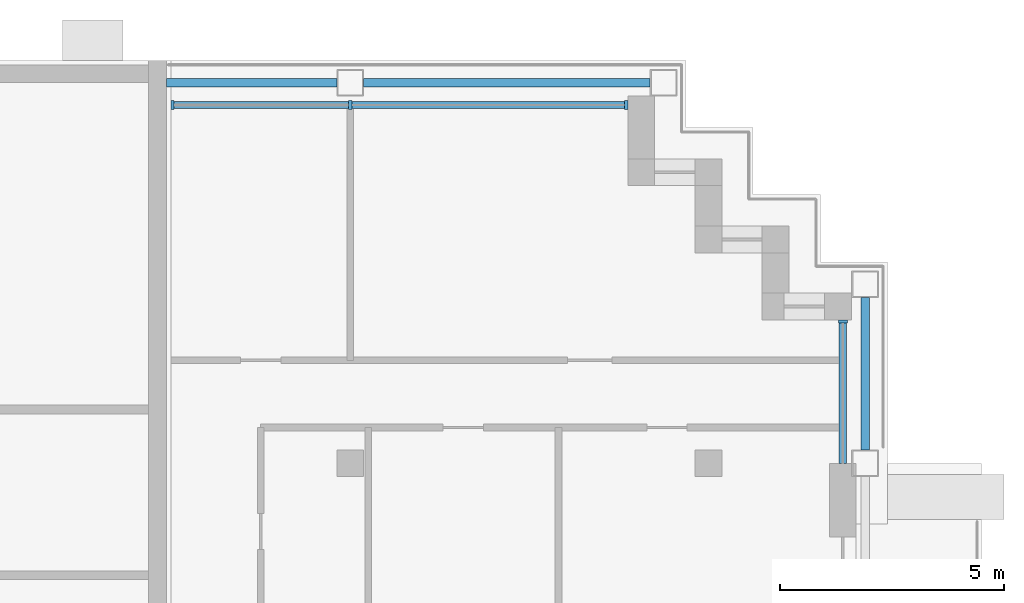
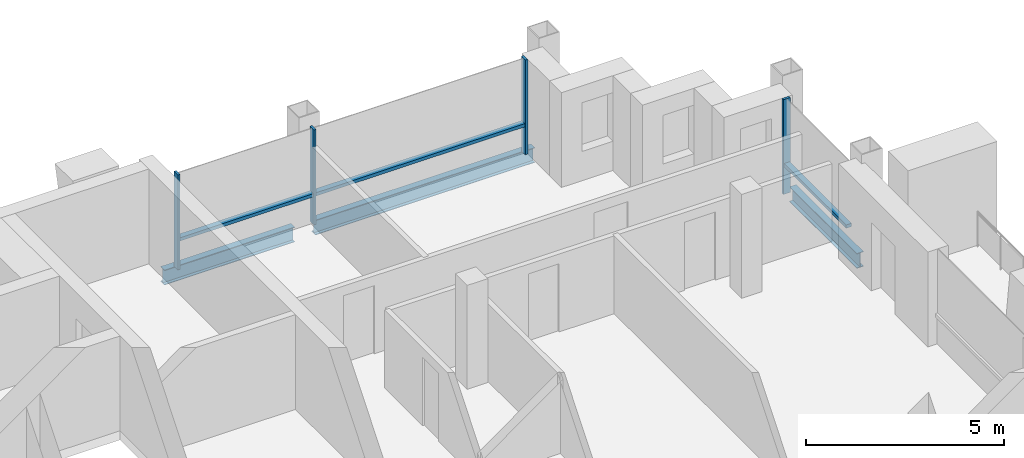
# One storey, part 5 of 16: 7 members, 3 beams, 2 elements without a shape of their own.
"""IFC4 building model written with IfcOpenShell, lengths in metres."""

from ifc_helpers import new_model, si_unit, direction, frame, origin, origin_2d, place, context, subcontext, project, spatial, rectangle, i_section, extrude, material, material_profile, profile_set, type_object, element, aggregate, save


model = new_model("IFC4")

# Units and contexts
model_context = context("Model", 3, precision=1e-05, world=origin(), true_north=direction((0.0, 1.0)))
body_context = subcontext(model_context, "Body", "Model", "MODEL_VIEW")
ifc_project = project(units=[si_unit("LENGTHUNIT", "METRE"), si_unit("AREAUNIT", "SQUARE_METRE"), si_unit("VOLUMEUNIT", "CUBIC_METRE"), si_unit("PLANEANGLEUNIT", "RADIAN"), si_unit("MASSUNIT", "GRAM", prefix="KILO")], contexts=[model_context])

# Site, building, storey
site_placement = place(None, origin())
site = spatial("IfcSite", under=ifc_project, at=site_placement, CompositionType="ELEMENT")
building_placement = place(site_placement, origin())
building = spatial("IfcBuilding", under=site, at=building_placement, Name="Vidyagriha Tower", CompositionType="ELEMENT")
storey_placement = place(building_placement, frame((0.0, 0.0, 217.199951171875)))
storey = spatial("IfcBuildingStorey", under=building, at=storey_placement, Name="L56", CompositionType="ELEMENT", Elevation=217.199951171875)

# Beams
ifc_material_1 = material(Name="Steel ASTM A992 Grade 50", Category="steel")
ifc_material_profile_1 = material_profile(ifc_material_1, i_section(OverallWidth=0.19189453125, OverallDepth=0.46240234375, WebThickness=0.010498046875, FlangeThickness=0.017578125, at=origin_2d()), Name="W18X60")
ifc_profile_set_1 = profile_set([ifc_material_profile_1], Name="Steel ASTM A992 Grade 50")
beam_type = type_object("IfcBeamType", Name="Edge beam W18X60", PredefinedType="SPANDREL", material=ifc_profile_set_1)
beam_1_placement = place(storey_placement, frame((29.5, 11.300048828125, -0.510986328125), z_axis=(0.0, 1.0, 0.0), x_axis=(-1.0, 0.0, 0.0)))
element("IfcBeam", 1, at=beam_1_placement, inside=storey, type_object=beam_type, Name="st-beam-L56-E17", PredefinedType="SPANDREL", context=body_context, shape_type="SweptSolid", body=[
    extrude(i_section(OverallWidth=0.19189453125, OverallDepth=0.46240234375, WebThickness=0.010498046875, FlangeThickness=0.017578125, at=origin_2d()), origin(), (0.0, 0.0, 1.0), 3.39990234375),
])
beam_2_placement = place(storey_placement, frame((18.300048828125, 19.5, -0.510986328125), z_axis=(1.0, 0.0, 0.0), x_axis=(0.0, 1.0, 0.0)))
element("IfcBeam", 2, at=beam_2_placement, inside=storey, type_object=beam_type, Name="st-beam-L56-NE19", PredefinedType="SPANDREL", context=body_context, shape_type="SweptSolid", body=[
    extrude(i_section(OverallWidth=0.19189453125, OverallDepth=0.46240234375, WebThickness=0.010498046875, FlangeThickness=0.017578125, at=origin_2d()), origin(), (0.0, 0.0, 1.0), 6.39990234375),
])
beam_3_placement = place(storey_placement, frame((13.89990234375, 19.5, -0.510986328125), z_axis=(1.0, 0.0, 0.0), x_axis=(0.0, 1.0, 0.0)))
element("IfcBeam", 3, at=beam_3_placement, inside=storey, type_object=beam_type, Name="st-beam-L56-NC21", PredefinedType="SPANDREL", context=body_context, shape_type="SweptSolid", body=[
    extrude(i_section(OverallWidth=0.19189453125, OverallDepth=0.46240234375, WebThickness=0.010498046875, FlangeThickness=0.017578125, at=origin_2d()), origin(), (0.0, 0.0, 1.0), 3.800048828125),
])

# Curtain wall, members
ifc_material_2 = material(Name="Aluminium and glass curtain wall", Category="aluminium")
curtain_wall_type = type_object("IfcCurtainWallType", Name="Dwelling skin unitised curtain wall", PredefinedType="USERDEFINED", material=ifc_material_2)
curtain_wall_1_placement = place(storey_placement, origin())
curtain_wall_1 = element("IfcCurtainWall", 4, at=curtain_wall_1_placement, inside=storey, type_object=curtain_wall_type, Name="CW1 dwelling skin", ObjectType="UNITISED", PredefinedType="USERDEFINED")
ifc_material_3 = material(Name="Aluminium black anodised", Category="aluminium")
ifc_material_profile_2 = material_profile(ifc_material_3, rectangle(XDim=0.199951171875, YDim=0.070068359375, at=origin_2d()), Name="Mullion 70x200 black aluminium")
ifc_profile_set_2 = profile_set([ifc_material_profile_2], Name="Aluminium black anodised")
member_type_1 = type_object("IfcMemberType", Name="Mullion 70x200 black aluminium", PredefinedType="MULLION", material=ifc_profile_set_2)
member_1_placement = place(storey_placement, frame((24.1650390625, 19.0, 0.0), z_axis=(0.0, 0.0, 1.0), x_axis=(0.0, -1.0, 0.0)))
member_1 = element("IfcMember", 5, at=member_1_placement, type_object=member_type_1, Name="CW1 mullion 1", PredefinedType="MULLION", context=body_context, shape_type="SweptSolid", body=[
    extrude(rectangle(XDim=0.199951171875, YDim=0.070068359375, at=origin_2d()), origin(), (0.0, 0.0, 1.0), 2.920166015625),
])
member_2_placement = place(storey_placement, frame((18.0, 19.0, 0.0), z_axis=(0.0, 0.0, 1.0), x_axis=(0.0, -1.0, 0.0)))
member_2 = element("IfcMember", 6, at=member_2_placement, type_object=member_type_1, Name="CW1 mullion 2", PredefinedType="MULLION", context=body_context, shape_type="SweptSolid", body=[
    extrude(rectangle(XDim=0.199951171875, YDim=0.070068359375, at=origin_2d()), origin(), (0.0, 0.0, 1.0), 2.920166015625),
])
member_3_placement = place(storey_placement, frame((14.034912109375, 19.0, 0.0), z_axis=(0.0, 0.0, 1.0), x_axis=(0.0, -1.0, 0.0)))
member_3 = element("IfcMember", 7, at=member_3_placement, type_object=member_type_1, Name="CW1 mullion 3", PredefinedType="MULLION", context=body_context, shape_type="SweptSolid", body=[
    extrude(rectangle(XDim=0.199951171875, YDim=0.070068359375, at=origin_2d()), origin(), (0.0, 0.0, 1.0), 2.920166015625),
])

# Curtain wall, member
curtain_wall_2_placement = place(storey_placement, origin())
curtain_wall_2 = element("IfcCurtainWall", 8, at=curtain_wall_2_placement, inside=storey, type_object=curtain_wall_type, Name="CW1 dwelling skin", ObjectType="UNITISED", PredefinedType="USERDEFINED")
member_4_placement = place(storey_placement, frame((29.0, 14.1650390625, 0.0), z_axis=(0.0, 0.0, 1.0), x_axis=(-1.0, 0.0, 0.0)))
member_4 = element("IfcMember", 9, at=member_4_placement, type_object=member_type_1, Name="CW1 mullion 2", PredefinedType="MULLION", context=body_context, shape_type="SweptSolid", body=[
    extrude(rectangle(XDim=0.199951171875, YDim=0.070068359375, at=origin_2d()), origin(), (0.0, 0.0, 1.0), 2.920166015625),
])

# Member
ifc_material_4 = material(Name="Aluminium black anodised", Category="aluminium")
ifc_material_profile_3 = material_profile(ifc_material_4, rectangle(XDim=0.159912109375, YDim=0.10009765625, at=origin_2d()), Name="Transom 100x160 black aluminium")
ifc_profile_set_3 = profile_set([ifc_material_profile_3], Name="Aluminium black anodised")
member_type_2 = type_object("IfcMemberType", Name="Transom 100x160 black aluminium", PredefinedType="USERDEFINED", material=ifc_profile_set_3)
member_5_placement = place(storey_placement, frame((24.1298828125, 19.0, 0.900146484375), z_axis=(-1.0, 0.0, 0.0), x_axis=(0.0, -1.0, 0.0)))
member_5 = element("IfcMember", 10, at=member_5_placement, type_object=member_type_2, Name="CW1 transom 1.1", ObjectType="TRANSOM", PredefinedType="USERDEFINED", context=body_context, shape_type="SweptSolid", body=[
    extrude(rectangle(XDim=0.159912109375, YDim=0.10009765625, at=origin_2d()), origin(), (0.0, 0.0, 1.0), 6.094970703125),
])

member_6_placement = place(storey_placement, frame((17.965087890625, 19.0, 0.900146484375), z_axis=(-1.0, 0.0, 0.0), x_axis=(0.0, -1.0, 0.0)))
member_6 = element("IfcMember", 11, at=member_6_placement, type_object=member_type_2, Name="CW1 transom 2.1", ObjectType="TRANSOM", PredefinedType="USERDEFINED", context=body_context, shape_type="SweptSolid", body=[
    extrude(rectangle(XDim=0.159912109375, YDim=0.10009765625, at=origin_2d()), origin(), (0.0, 0.0, 1.0), 3.89501953125),
])

aggregate(curtain_wall_1, [member_1, member_2, member_3, member_5, member_6])

member_7_placement = place(storey_placement, frame((29.0, 11.0, 0.900146484375), z_axis=(0.0, 1.0, 0.0), x_axis=(-1.0, 0.0, 0.0)))
member_7 = element("IfcMember", 12, at=member_7_placement, type_object=member_type_2, Name="CW1 transom 1.1", ObjectType="TRANSOM", PredefinedType="USERDEFINED", context=body_context, shape_type="SweptSolid", body=[
    extrude(rectangle(XDim=0.159912109375, YDim=0.10009765625, at=origin_2d()), origin(), (0.0, 0.0, 1.0), 3.1298828125),
])

aggregate(curtain_wall_2, [member_4, member_7])

save(model, "model.ifc")
